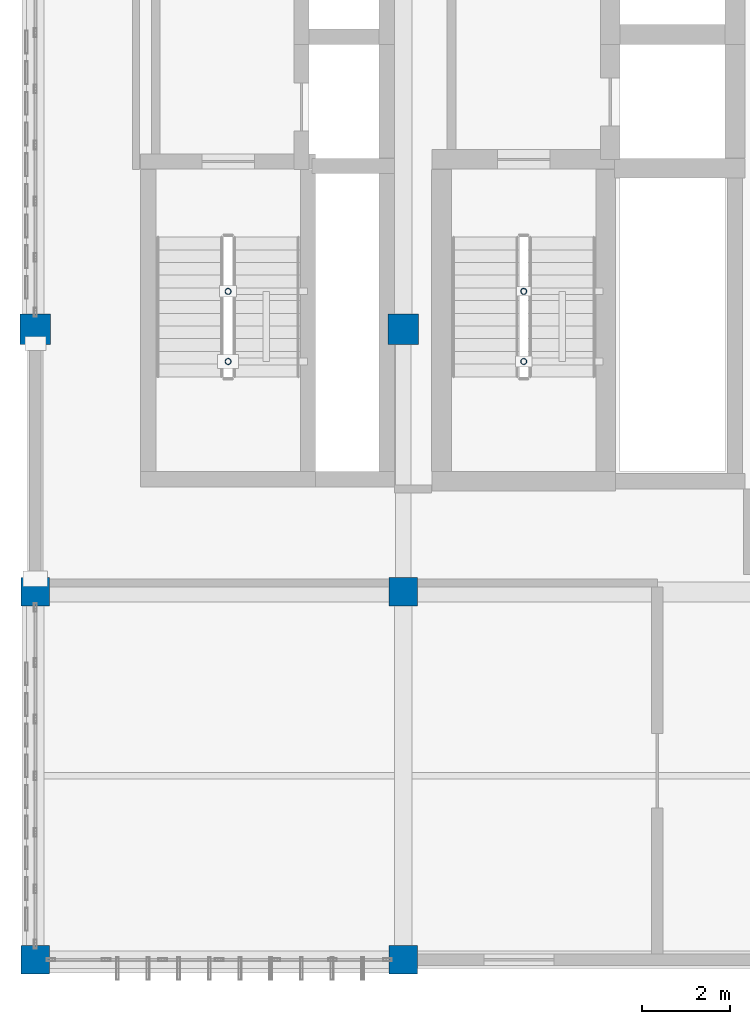
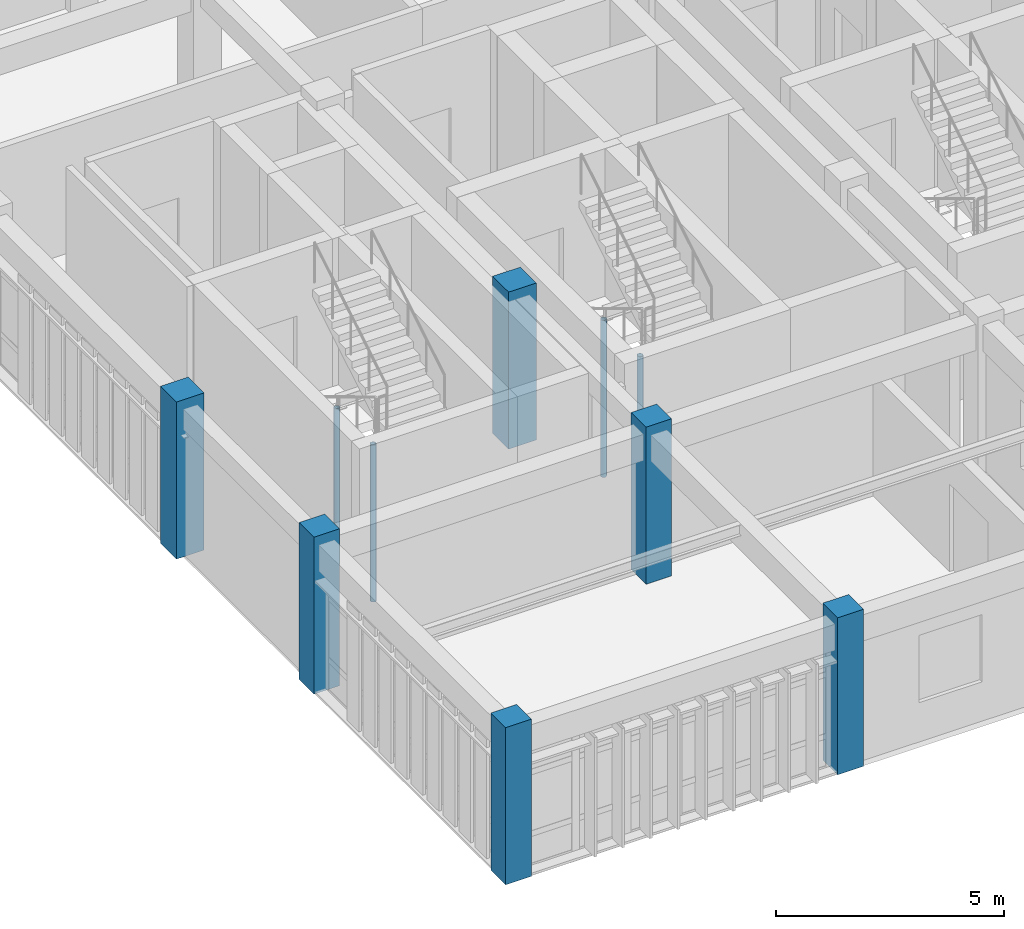
# One storey, part 1 of 23: 10 columns.
"""IFC4 building model written with IfcOpenShell, lengths in metres."""

from ifc_helpers import new_model, si_unit, direction, frame, origin, origin_2d, place, context, subcontext, project, spatial, rectangle, hollow_circle, extrude, material, material_profile, profile_set, type_object, element, save


model = new_model("IFC4")

# Units and contexts
model_context = context("Model", 3, precision=1e-05, world=origin(), true_north=direction((0.0, 1.0)))
body_context = subcontext(model_context, "Body", "Model", "MODEL_VIEW")
ifc_project = project(units=[si_unit("LENGTHUNIT", "METRE"), si_unit("AREAUNIT", "SQUARE_METRE"), si_unit("VOLUMEUNIT", "CUBIC_METRE"), si_unit("PLANEANGLEUNIT", "RADIAN"), si_unit("MASSUNIT", "GRAM", prefix="KILO")], contexts=[model_context])

# Site, building, storey
site_placement = place(None, origin())
site = spatial("IfcSite", under=ifc_project, at=site_placement, CompositionType="ELEMENT")
building_placement = place(site_placement, origin())
building = spatial("IfcBuilding", under=site, at=building_placement, Name="Krzemoval Escarpment Law Courts", CompositionType="ELEMENT")
storey_placement = place(building_placement, frame((0.0, 0.0, 33.60009765625)))
storey = spatial("IfcBuildingStorey", under=building, at=storey_placement, Name="L07", CompositionType="ELEMENT", Elevation=33.60009765625)

# Columns
ifc_material_1 = material(Name="Concrete C40/50", Category="concrete")
ifc_material_profile_1 = material_profile(ifc_material_1, rectangle(XDim=0.64990234375, YDim=0.64990234375, at=origin_2d()), Name="RC 650x650")
ifc_profile_set_1 = profile_set([ifc_material_profile_1], Name="Concrete C40/50")
column_type_1 = type_object("IfcColumnType", Name="COL-RC-650", PredefinedType="COLUMN", material=ifc_profile_set_1)
for number, where, z_axis, x_axis, name in (
    (1, (126.0, 85.199951171875, 0.0), (0.0, 0.0, 1.0), (1.0, 0.0, 0.0), "Column FC-L07-1329"),
    (2, (126.0, 93.60009765625, 0.0), (0.0, 0.0, 1.0), (1.0, 0.0, 0.0), "Column FC-L07-1330"),
    (3, (134.39990234375, 85.199951171875, 0.0), (0.0, 0.0, 1.0), (1.0, 0.0, 0.0), "Column FC-L07-1335"),
    (4, (134.39990234375, 93.60009765625, 0.0), (0.0, 0.0, 1.0), (1.0, 0.0, 0.0), "Column FC-L07-1336"),
):
    element("IfcColumn", number, at=place(storey_placement, frame(where, z_axis=z_axis, x_axis=x_axis)), inside=storey, type_object=column_type_1, Name=name, PredefinedType="COLUMN", context=body_context, shape_type="SweptSolid", body=[
        extrude(rectangle(XDim=0.64990234375, YDim=0.64990234375, at=origin_2d()), origin(), (0.0, 0.0, 1.0), 4.199951171875),
    ])
ifc_material_2 = material(Name="Concrete C40/50", Category="concrete")
ifc_material_profile_2 = material_profile(ifc_material_2, rectangle(XDim=0.699951171875, YDim=0.699951171875, at=origin_2d()), Name="RC 700x700")
ifc_profile_set_2 = profile_set([ifc_material_profile_2], Name="Concrete C40/50")
column_type_2 = type_object("IfcColumnType", Name="COL-RC-700", PredefinedType="COLUMN", material=ifc_profile_set_2)
for number, where, z_axis, x_axis, name in (
    (5, (126.0, 99.60009765625, 0.0), (0.0, 0.0, 1.0), (1.0, 0.0, 0.0), "Column FC-L07-1331"),
    (6, (134.39990234375, 99.60009765625, 0.0), (0.0, 0.0, 1.0), (1.0, 0.0, 0.0), "Column FC-L07-1337"),
):
    element("IfcColumn", number, at=place(storey_placement, frame(where, z_axis=z_axis, x_axis=x_axis)), inside=storey, type_object=column_type_2, Name=name, PredefinedType="COLUMN", context=body_context, shape_type="SweptSolid", body=[
        extrude(rectangle(XDim=0.699951171875, YDim=0.699951171875, at=origin_2d()), origin(), (0.0, 0.0, 1.0), 4.199951171875),
    ])
ifc_material_3 = material(Name="Steel S355", Category="steel")
ifc_material_profile_3 = material_profile(ifc_material_3, hollow_circle(Radius=0.06982421875, WallThickness=0.008056640625, at=origin_2d()), Name="CHS 139.7x8")
ifc_profile_set_3 = profile_set([ifc_material_profile_3], Name="Steel S355")
column_type_3 = type_object("IfcColumnType", Name="COL-S355-CHS140", PredefinedType="COLUMN", material=ifc_profile_set_3)
for number, where, z_axis, x_axis, name in (
    (7, (130.39990234375, 98.860107421875, -2.530029296875), (0.0, 0.0, 1.0), (1.0, 0.0, 0.0), "Stair Well Post SCP-C1-L07-1"),
    (8, (130.39990234375, 100.4599609375, -2.530029296875), (0.0, 0.0, 1.0), (1.0, 0.0, 0.0), "Stair Well Post SCP-C1-L07-2"),
    (9, (137.14990234375, 98.860107421875, -2.530029296875), (0.0, 0.0, 1.0), (1.0, 0.0, 0.0), "Stair Well Post SCP-C2-L07-1"),
    (10, (137.14990234375, 100.4599609375, -2.530029296875), (0.0, 0.0, 1.0), (1.0, 0.0, 0.0), "Stair Well Post SCP-C2-L07-2"),
):
    element("IfcColumn", number, at=place(storey_placement, frame(where, z_axis=z_axis, x_axis=x_axis)), inside=storey, type_object=column_type_3, Name=name, PredefinedType="COLUMN", context=body_context, shape_type="SweptSolid", body=[
        extrude(hollow_circle(Radius=0.06982421875, WallThickness=0.008056640625, at=origin_2d()), origin(), (0.0, 0.0, 1.0), 4.199951171875),
    ])

save(model, "model.ifc")
